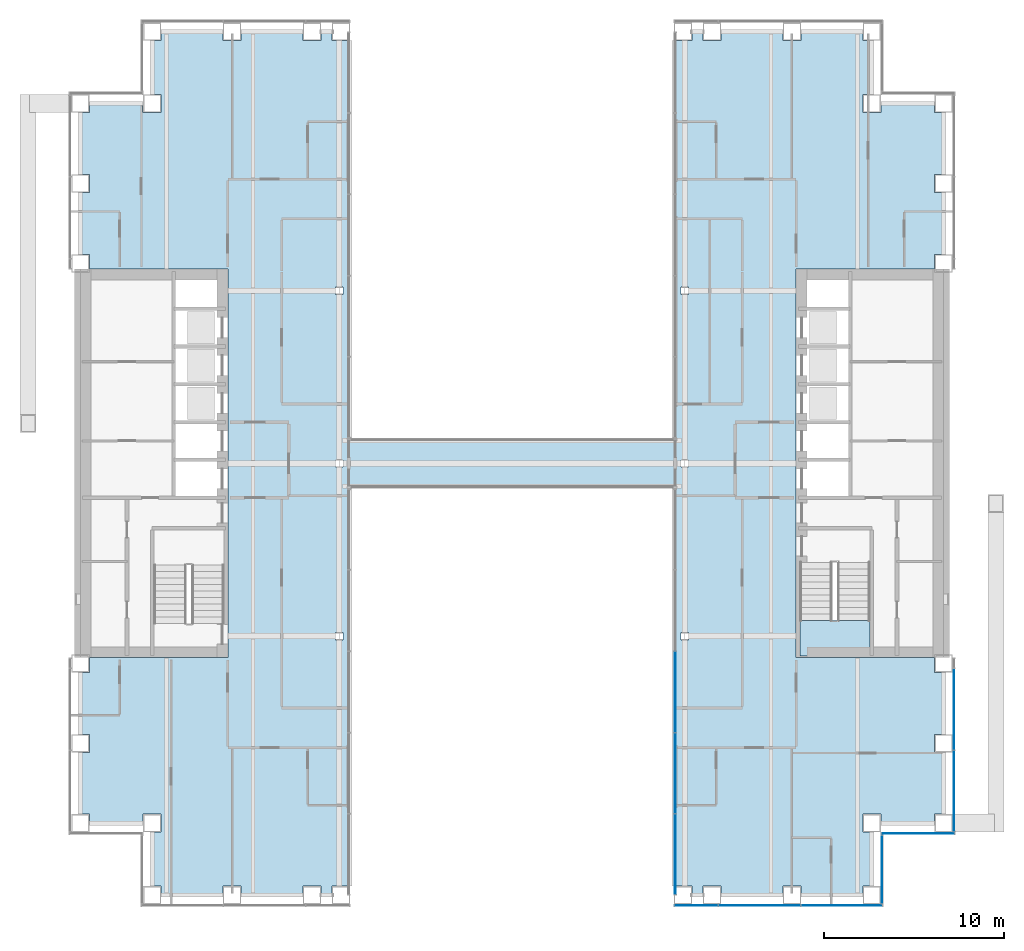
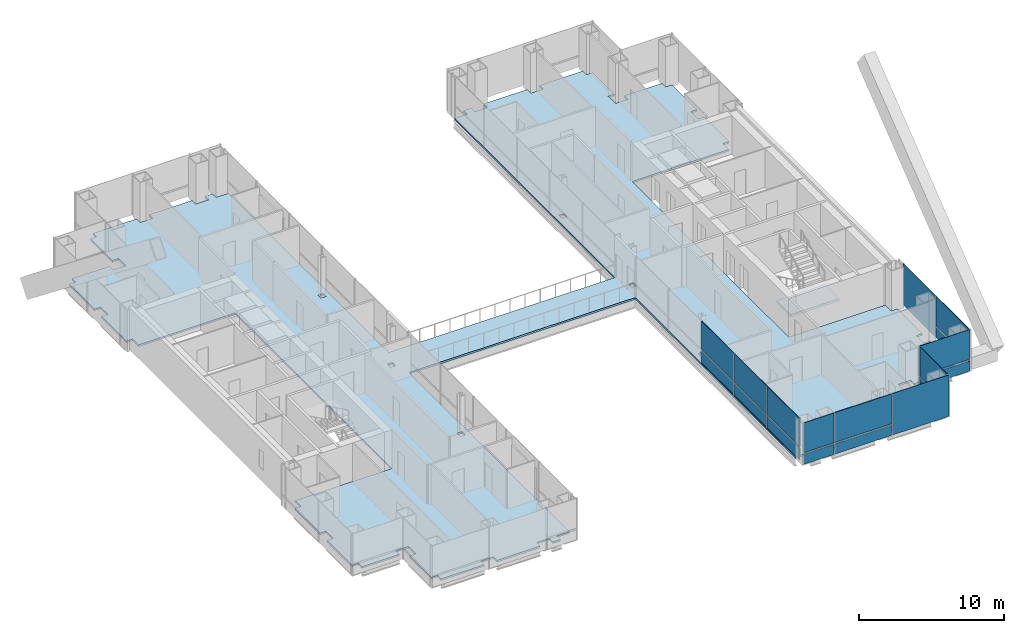
# One storey, part 10 of 19: 18 plates, 2 slabs, 6 elements without a shape of their own.
"""IFC4 building model written with IfcOpenShell, lengths in metres."""

from ifc_helpers import new_model, si_unit, direction, frame, origin, origin_2d, place, context, subcontext, project, spatial, polyline, rectangle, outline, extrude, material, layer, layer_set, type_object, element, aggregate, save


model = new_model("IFC4")

# Units and contexts
model_context = context("Model", 3, precision=1e-05, world=origin(), true_north=direction((0.0, 1.0)))
body_context = subcontext(model_context, "Body", "Model", "MODEL_VIEW")
ifc_project = project(units=[si_unit("LENGTHUNIT", "METRE"), si_unit("AREAUNIT", "SQUARE_METRE"), si_unit("VOLUMEUNIT", "CUBIC_METRE"), si_unit("PLANEANGLEUNIT", "RADIAN"), si_unit("MASSUNIT", "GRAM", prefix="KILO")], contexts=[model_context])

# Site, building, storey
site_placement = place(None, origin())
site = spatial("IfcSite", under=ifc_project, at=site_placement, CompositionType="ELEMENT")
building_placement = place(site_placement, origin())
building = spatial("IfcBuilding", under=site, at=building_placement, Name="Cobrizo Arcos Hotel Tower", CompositionType="ELEMENT")
storey_placement = place(building_placement, frame((0.0, 0.0, 70.5)))
storey = spatial("IfcBuildingStorey", under=building, at=storey_placement, Name="L16", CompositionType="ELEMENT", Elevation=70.5)

# Curtain wall, plates
ifc_material_1 = material(Name="Aluminium 6063-T6 anodised bronze", Category="aluminium")
curtain_wall_type_1 = type_object("IfcCurtainWallType", Name="CW-A guest facade", PredefinedType="NOTDEFINED", material=ifc_material_1)
curtain_wall_1_placement = place(storey_placement, origin())
curtain_wall_1 = element("IfcCurtainWall", 1, at=curtain_wall_1_placement, inside=storey, type_object=curtain_wall_type_1, Name="CW-A L16 S face", PredefinedType="NOTDEFINED")
ifc_material_2 = material(Name="Glass clear laminated low-e", Category="glass")
ifc_layer_1 = layer(ifc_material_2, 0.0400390625)
ifc_layer_set_1 = layer_set([ifc_layer_1], Name="CW-A glass panel")
plate_type_1 = type_object("IfcPlateType", Name="CW-A glass panel", PredefinedType="CURTAIN_PANEL", material=ifc_layer_set_1)
plate_1_placement = place(storey_placement, frame((10.251220703125, -24.574951171875, 0.990234375), z_axis=(0.0, 0.0, 1.0), x_axis=(1.0, 0.0, 0.0)))
plate_1 = element("IfcPlate", 2, at=plate_1_placement, type_object=plate_type_1, Name="CW-A glass panel 688", PredefinedType="CURTAIN_PANEL", context=body_context, shape_type="SweptSolid", body=[
    extrude(rectangle(XDim=2.38232421875, YDim=0.0400390625, at=origin_2d()), origin(), (0.0, 0.0, 1.0), 2.510009765625),
])
plate_2_placement = place(storey_placement, frame((13.7666015625, -24.574951171875, 0.990234375), z_axis=(0.0, 0.0, 1.0), x_axis=(1.0, 0.0, 0.0)))
plate_2 = element("IfcPlate", 3, at=plate_2_placement, type_object=plate_type_1, Name="CW-A glass panel 689", PredefinedType="CURTAIN_PANEL", context=body_context, shape_type="SweptSolid", body=[
    extrude(rectangle(XDim=4.52880859375, YDim=0.0400390625, at=origin_2d()), origin(), (0.0, 0.0, 1.0), 2.510009765625),
])

# Curtain wall, plate
curtain_wall_2_placement = place(storey_placement, origin())
curtain_wall_2 = element("IfcCurtainWall", 4, at=curtain_wall_2_placement, inside=storey, type_object=curtain_wall_type_1, Name="CW-A L16 E face", PredefinedType="NOTDEFINED")
plate_3_placement = place(storey_placement, frame((20.574951171875, -22.574951171875, 0.990234375), z_axis=(0.0, 0.0, 1.0), x_axis=(0.0, 1.0, 0.0)))
plate_3 = element("IfcPlate", 5, at=plate_3_placement, type_object=plate_type_1, Name="CW-A glass panel 691", PredefinedType="CURTAIN_PANEL", context=body_context, shape_type="SweptSolid", body=[
    extrude(rectangle(XDim=3.72998046875, YDim=0.0400390625, at=origin_2d()), origin(), (0.0, 0.0, 1.0), 2.510009765625),
])

curtain_wall_3_placement = place(storey_placement, origin())
curtain_wall_3 = element("IfcCurtainWall", 6, at=curtain_wall_3_placement, inside=storey, type_object=curtain_wall_type_1, Name="CW-A L16 S face", PredefinedType="NOTDEFINED")
plate_4_placement = place(storey_placement, frame((22.574951171875, -20.574951171875, 0.990234375), z_axis=(0.0, 0.0, 1.0), x_axis=(1.0, 0.0, 0.0)))
plate_4 = element("IfcPlate", 7, at=plate_4_placement, type_object=plate_type_1, Name="CW-A glass panel 692", PredefinedType="CURTAIN_PANEL", context=body_context, shape_type="SweptSolid", body=[
    extrude(rectangle(XDim=4.030029296875, YDim=0.0400390625, at=origin_2d()), origin(), (0.0, 0.0, 1.0), 2.510009765625),
])

curtain_wall_4_placement = place(storey_placement, origin())
curtain_wall_4 = element("IfcCurtainWall", 8, at=curtain_wall_4_placement, inside=storey, type_object=curtain_wall_type_1, Name="CW-A L16 E face", PredefinedType="NOTDEFINED")
plate_5_placement = place(storey_placement, frame((24.574951171875, -18.207275390625, 0.990234375), z_axis=(0.0, 0.0, 1.0), x_axis=(0.0, 1.0, 0.0)))
plate_5 = element("IfcPlate", 9, at=plate_5_placement, type_object=plate_type_1, Name="CW-A glass panel 693", PredefinedType="CURTAIN_PANEL", context=body_context, shape_type="SweptSolid", body=[
    extrude(rectangle(XDim=4.465576171875, YDim=0.0400390625, at=origin_2d()), origin(), (0.0, 0.0, 1.0), 2.510009765625),
])

# Plate
ifc_material_3 = material(Name="Aluminium composite panel pale metal", Category="aluminium")
ifc_layer_2 = layer(ifc_material_3, 0.0400390625)
ifc_layer_set_2 = layer_set([ifc_layer_2], Name="CW-A spandrel panel")
plate_type_2 = type_object("IfcPlateType", Name="CW-A spandrel panel", PredefinedType="CURTAIN_PANEL", material=ifc_layer_set_2)
plate_6_placement = place(storey_placement, frame((10.251220703125, -24.574951171875, 0.0), z_axis=(0.0, 0.0, 1.0), x_axis=(1.0, 0.0, 0.0)))
plate_6 = element("IfcPlate", 10, at=plate_6_placement, type_object=plate_type_2, Name="CW-A spandrel panel 688", PredefinedType="CURTAIN_PANEL", context=body_context, shape_type="SweptSolid", body=[
    extrude(rectangle(XDim=2.38232421875, YDim=0.0400390625, at=origin_2d()), origin(), (0.0, 0.0, 1.0), 0.8701171875),
])

plate_7_placement = place(storey_placement, frame((13.7666015625, -24.574951171875, 0.0), z_axis=(0.0, 0.0, 1.0), x_axis=(1.0, 0.0, 0.0)))
plate_7 = element("IfcPlate", 11, at=plate_7_placement, type_object=plate_type_2, Name="CW-A spandrel panel 689", PredefinedType="CURTAIN_PANEL", context=body_context, shape_type="SweptSolid", body=[
    extrude(rectangle(XDim=4.52880859375, YDim=0.0400390625, at=origin_2d()), origin(), (0.0, 0.0, 1.0), 0.8701171875),
])

plate_8_placement = place(storey_placement, frame((18.340576171875, -24.574951171875, 0.0), z_axis=(0.0, 0.0, 1.0), x_axis=(1.0, 0.0, 0.0)))
plate_8 = element("IfcPlate", 12, at=plate_8_placement, type_object=plate_type_2, Name="CW-A spandrel panel 690", PredefinedType="CURTAIN_PANEL", context=body_context, shape_type="SweptSolid", body=[
    extrude(rectangle(XDim=4.498779296875, YDim=0.0400390625, at=origin_2d()), origin(), (0.0, 0.0, 1.0), 3.5),
])

aggregate(curtain_wall_1, [plate_6, plate_1, plate_7, plate_2, plate_8])

plate_9_placement = place(storey_placement, frame((20.574951171875, -22.574951171875, 0.0), z_axis=(0.0, 0.0, 1.0), x_axis=(0.0, 1.0, 0.0)))
plate_9 = element("IfcPlate", 13, at=plate_9_placement, type_object=plate_type_2, Name="CW-A spandrel panel 691", PredefinedType="CURTAIN_PANEL", context=body_context, shape_type="SweptSolid", body=[
    extrude(rectangle(XDim=3.72998046875, YDim=0.0400390625, at=origin_2d()), origin(), (0.0, 0.0, 1.0), 0.8701171875),
])

aggregate(curtain_wall_2, [plate_9, plate_3])

plate_10_placement = place(storey_placement, frame((22.574951171875, -20.574951171875, 0.0), z_axis=(0.0, 0.0, 1.0), x_axis=(1.0, 0.0, 0.0)))
plate_10 = element("IfcPlate", 14, at=plate_10_placement, type_object=plate_type_2, Name="CW-A spandrel panel 692", PredefinedType="CURTAIN_PANEL", context=body_context, shape_type="SweptSolid", body=[
    extrude(rectangle(XDim=4.030029296875, YDim=0.0400390625, at=origin_2d()), origin(), (0.0, 0.0, 1.0), 0.8701171875),
])

aggregate(curtain_wall_3, [plate_10, plate_4])

plate_11_placement = place(storey_placement, frame((24.574951171875, -18.207275390625, 0.0), z_axis=(0.0, 0.0, 1.0), x_axis=(0.0, 1.0, 0.0)))
plate_11 = element("IfcPlate", 15, at=plate_11_placement, type_object=plate_type_2, Name="CW-A spandrel panel 693", PredefinedType="CURTAIN_PANEL", context=body_context, shape_type="SweptSolid", body=[
    extrude(rectangle(XDim=4.465576171875, YDim=0.0400390625, at=origin_2d()), origin(), (0.0, 0.0, 1.0), 0.8701171875),
])

plate_12_placement = place(storey_placement, frame((24.574951171875, -13.666748046875, 0.0), z_axis=(0.0, 0.0, 1.0), x_axis=(0.0, 1.0, 0.0)))
plate_12 = element("IfcPlate", 16, at=plate_12_placement, type_object=plate_type_2, Name="CW-A spandrel panel 694", PredefinedType="CURTAIN_PANEL", context=body_context, shape_type="SweptSolid", body=[
    extrude(rectangle(XDim=4.49560546875, YDim=0.0400390625, at=origin_2d()), origin(), (0.0, 0.0, 1.0), 3.5),
])

aggregate(curtain_wall_4, [plate_11, plate_5, plate_12])

# Curtain wall, plates
curtain_wall_type_2 = type_object("IfcCurtainWallType", Name="CW-F void screen", PredefinedType="NOTDEFINED", material=ifc_material_1)
curtain_wall_5_placement = place(storey_placement, origin())
curtain_wall_5 = element("IfcCurtainWall", 17, at=curtain_wall_5_placement, inside=storey, type_object=curtain_wall_type_2, Name="CW-F L16 void screen A", PredefinedType="NOTDEFINED")
ifc_layer_3 = layer(ifc_material_2, 0.0400390625)
ifc_layer_set_3 = layer_set([ifc_layer_3], Name="CW-F glass panel")
plate_type_3 = type_object("IfcPlateType", Name="CW-F glass panel", PredefinedType="CURTAIN_PANEL", material=ifc_layer_set_3)
plate_13_placement = place(storey_placement, frame((9.074951171875, -21.72509765625, 0.0), z_axis=(0.0, 0.0, 1.0), x_axis=(0.0, 1.0, 0.0)))
plate_13 = element("IfcPlate", 18, at=plate_13_placement, type_object=plate_type_3, Name="CW-F glass panel 2488", PredefinedType="CURTAIN_PANEL", context=body_context, shape_type="SweptSolid", body=[
    extrude(rectangle(XDim=4.429931640625, YDim=0.0400390625, at=origin_2d()), origin(), (0.0, 0.0, 1.0), 0.989990234375),
])
plate_14_placement = place(storey_placement, frame((9.074951171875, -21.72509765625, 1.10986328125), z_axis=(0.0, 0.0, 1.0), x_axis=(0.0, 1.0, 0.0)))
plate_14 = element("IfcPlate", 19, at=plate_14_placement, type_object=plate_type_3, Name="CW-F glass panel 2488", PredefinedType="CURTAIN_PANEL", context=body_context, shape_type="SweptSolid", body=[
    extrude(rectangle(XDim=4.429931640625, YDim=0.0400390625, at=origin_2d()), origin(), (0.0, 0.0, 1.0), 2.389892578125),
])
plate_15_placement = place(storey_placement, frame((9.074951171875, -17.219970703125, 0.0), z_axis=(0.0, 0.0, 1.0), x_axis=(0.0, 1.0, 0.0)))
plate_15 = element("IfcPlate", 20, at=plate_15_placement, type_object=plate_type_3, Name="CW-F glass panel 2489", PredefinedType="CURTAIN_PANEL", context=body_context, shape_type="SweptSolid", body=[
    extrude(rectangle(XDim=4.4599609375, YDim=0.0400390625, at=origin_2d()), origin(), (0.0, 0.0, 1.0), 0.989990234375),
])
plate_16_placement = place(storey_placement, frame((9.074951171875, -17.219970703125, 1.10986328125), z_axis=(0.0, 0.0, 1.0), x_axis=(0.0, 1.0, 0.0)))
plate_16 = element("IfcPlate", 21, at=plate_16_placement, type_object=plate_type_3, Name="CW-F glass panel 2489", PredefinedType="CURTAIN_PANEL", context=body_context, shape_type="SweptSolid", body=[
    extrude(rectangle(XDim=4.4599609375, YDim=0.0400390625, at=origin_2d()), origin(), (0.0, 0.0, 1.0), 2.389892578125),
])
plate_17_placement = place(storey_placement, frame((9.074951171875, -12.699951171875, 0.0), z_axis=(0.0, 0.0, 1.0), x_axis=(0.0, 1.0, 0.0)))
plate_17 = element("IfcPlate", 22, at=plate_17_placement, type_object=plate_type_3, Name="CW-F glass panel 2490", PredefinedType="CURTAIN_PANEL", context=body_context, shape_type="SweptSolid", body=[
    extrude(rectangle(XDim=4.4599609375, YDim=0.0400390625, at=origin_2d()), origin(), (0.0, 0.0, 1.0), 0.989990234375),
])
plate_18_placement = place(storey_placement, frame((9.074951171875, -12.699951171875, 1.10986328125), z_axis=(0.0, 0.0, 1.0), x_axis=(0.0, 1.0, 0.0)))
plate_18 = element("IfcPlate", 23, at=plate_18_placement, type_object=plate_type_3, Name="CW-F glass panel 2490", PredefinedType="CURTAIN_PANEL", context=body_context, shape_type="SweptSolid", body=[
    extrude(rectangle(XDim=4.4599609375, YDim=0.0400390625, at=origin_2d()), origin(), (0.0, 0.0, 1.0), 2.389892578125),
])
aggregate(curtain_wall_5, [plate_13, plate_14, plate_15, plate_16, plate_17, plate_18])

# Slab
ifc_material_4 = material(Name="Concrete f'c 35 MPa", Category="concrete")
ifc_layer_4 = layer(ifc_material_4, 0.14990234375)
ifc_layer_set_4 = layer_set([ifc_layer_4], Name="Composite floor slab 150 f'c 35")
slab_type_1 = type_object("IfcSlabType", Name="Composite floor slab 150 f'c 35", PredefinedType="FLOOR", material=ifc_layer_set_4)
slab_1_placement = place(storey_placement, frame((0.0, 0.0, -0.14990234375)))
element("IfcSlab", 24, at=slab_1_placement, inside=storey, type_object=slab_type_1, Name="Floor slab S5, L16, no. 01", PredefinedType="FLOOR", context=body_context, shape_type="SweptSolid", body=[
    extrude(outline(polyline([(23.5, 20.0), (23.5, 19.5), (24.0, 19.5), (24.0, 16.055908203125), (23.5, 16.055908203125), (23.5, 15.055908203125), (24.0, 15.055908203125), (24.0, 11.611083984375), (23.5, 11.611083984375), (23.5, 10.800048828125), (15.800048828125, 10.800048828125), (15.800048828125, -10.800048828125), (23.5, -10.800048828125), (23.5, -11.611083984375), (24.0, -11.611083984375), (24.0, -15.055908203125), (23.5, -15.055908203125), (23.5, -16.055908203125), (24.0, -16.055908203125), (24.0, -19.5), (23.5, -19.5), (23.5, -20.0), (20.5, -20.0), (20.5, -19.5), (19.5, -19.5), (19.5, -20.5), (20.0, -20.5), (20.0, -23.5), (19.5, -23.5), (19.5, -24.0), (16.055908203125, -24.0), (16.055908203125, -23.5), (15.055908203125, -23.5), (15.055908203125, -24.0), (11.611083984375, -24.0), (11.611083984375, -23.5), (10.611083984375, -23.5), (10.611083984375, -24.0), (10.0, -24.0), (10.0, -23.5), (9.0, -23.5), (9.0, -1.39990234375), (-9.0, -1.39990234375), (-9.0, -23.5), (-10.0, -23.5), (-10.0, -24.0), (-10.611083984375, -24.0), (-10.611083984375, -23.5), (-11.611083984375, -23.5), (-11.611083984375, -24.0), (-15.055908203125, -24.0), (-15.055908203125, -23.5), (-16.055908203125, -23.5), (-16.055908203125, -24.0), (-19.5, -24.0), (-19.5, -23.5), (-20.0, -23.5), (-20.0, -20.5), (-19.5, -20.5), (-19.5, -19.5), (-20.5, -19.5), (-20.5, -20.0), (-23.5, -20.0), (-23.5, -19.5), (-24.0, -19.5), (-24.0, -16.055908203125), (-23.5, -16.055908203125), (-23.5, -15.055908203125), (-24.0, -15.055908203125), (-24.0, -11.611083984375), (-23.5, -11.611083984375), (-23.5, -10.800048828125), (-15.800048828125, -10.800048828125), (-15.800048828125, 10.800048828125), (-23.5, 10.800048828125), (-23.5, 11.611083984375), (-24.0, 11.611083984375), (-24.0, 15.055908203125), (-23.5, 15.055908203125), (-23.5, 16.055908203125), (-24.0, 16.055908203125), (-24.0, 19.5), (-23.5, 19.5), (-23.5, 20.0), (-20.5, 20.0), (-20.5, 19.5), (-19.5, 19.5), (-19.5, 20.5), (-20.0, 20.5), (-20.0, 23.5), (-19.5, 23.5), (-19.5, 24.0), (-16.055908203125, 24.0), (-16.055908203125, 23.5), (-15.055908203125, 23.5), (-15.055908203125, 24.0), (-11.611083984375, 24.0), (-11.611083984375, 23.5), (-10.611083984375, 23.5), (-10.611083984375, 24.0), (-10.0, 24.0), (-10.0, 23.5), (-9.0, 23.5), (-9.0, 1.39990234375), (9.0, 1.39990234375), (9.0, 23.5), (10.0, 23.5), (10.0, 24.0), (10.611083984375, 24.0), (10.611083984375, 23.5), (11.611083984375, 23.5), (11.611083984375, 24.0), (15.055908203125, 24.0), (15.055908203125, 23.5), (16.055908203125, 23.5), (16.055908203125, 24.0), (19.5, 24.0), (19.5, 23.5), (20.0, 23.5), (20.0, 20.5), (19.5, 20.5), (19.5, 19.5), (20.5, 19.5), (20.5, 20.0), (23.5, 20.0)]), holes=[polyline([(-9.804443359375, -9.804443359375), (-9.3955078125, -9.804443359375), (-9.3955078125, -9.3955078125), (-9.804443359375, -9.3955078125), (-9.804443359375, -9.804443359375)]), polyline([(-9.3955078125, -0.204345703125), (-9.3955078125, 0.204345703125), (-9.804443359375, 0.204345703125), (-9.804443359375, -0.204345703125), (-9.3955078125, -0.204345703125)]), polyline([(-9.3955078125, 9.3955078125), (-9.3955078125, 9.804443359375), (-9.804443359375, 9.804443359375), (-9.804443359375, 9.3955078125), (-9.3955078125, 9.3955078125)]), polyline([(9.3955078125, -9.804443359375), (9.804443359375, -9.804443359375), (9.804443359375, -9.3955078125), (9.3955078125, -9.3955078125), (9.3955078125, -9.804443359375)]), polyline([(9.3955078125, -0.204345703125), (9.804443359375, -0.204345703125), (9.804443359375, 0.204345703125), (9.3955078125, 0.204345703125), (9.3955078125, -0.204345703125)]), polyline([(9.804443359375, 9.3955078125), (9.804443359375, 9.804443359375), (9.3955078125, 9.804443359375), (9.3955078125, 9.3955078125), (9.804443359375, 9.3955078125)])]), origin(), (0.0, 0.0, 1.0), 0.14990234375),
])

# Stair, slab
ifc_material_5 = material(Name="Concrete f'c 40 MPa", Category="concrete")
stair_type = type_object("IfcStairType", Name="Exit stair", PredefinedType="HALF_TURN_STAIR", material=ifc_material_5)
stair_placement = place(storey_placement, origin())
stair = element("IfcStair", 25, at=stair_placement, inside=storey, type_object=stair_type, Name="L16 Exit stair ST-E", PredefinedType="HALF_TURN_STAIR")
ifc_layer_5 = layer(ifc_material_5, 0.199951171875)
ifc_layer_set_5 = layer_set([ifc_layer_5], Name="Stair landing")
slab_type_2 = type_object("IfcSlabType", Name="Stair landing", PredefinedType="LANDING", material=ifc_layer_set_5)
slab_2_placement = place(storey_placement, frame((0.0, 0.0, 1.550048828125)))
slab_2 = element("IfcSlab", 26, at=slab_2_placement, type_object=slab_type_2, Name="ST-E landing 1", PredefinedType="LANDING", context=body_context, shape_type="SweptSolid", body=[
    extrude(outline(polyline([(16.0, -8.739990234375), (16.0, -10.699951171875), (19.89990234375, -10.699951171875), (19.89990234375, -8.739990234375), (16.0, -8.739990234375)])), origin(), (0.0, 0.0, 1.0), 0.199951171875),
])
aggregate(stair, [slab_2])

save(model, "model.ifc")
